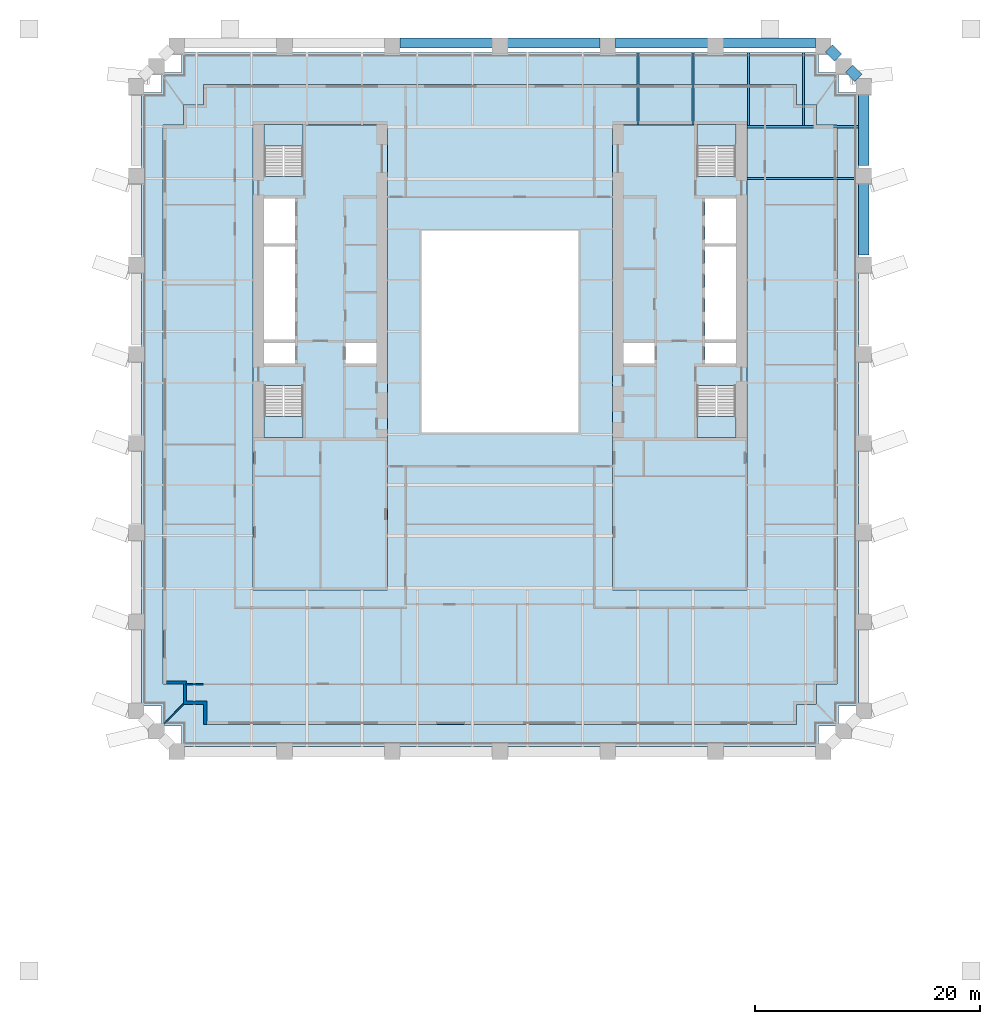
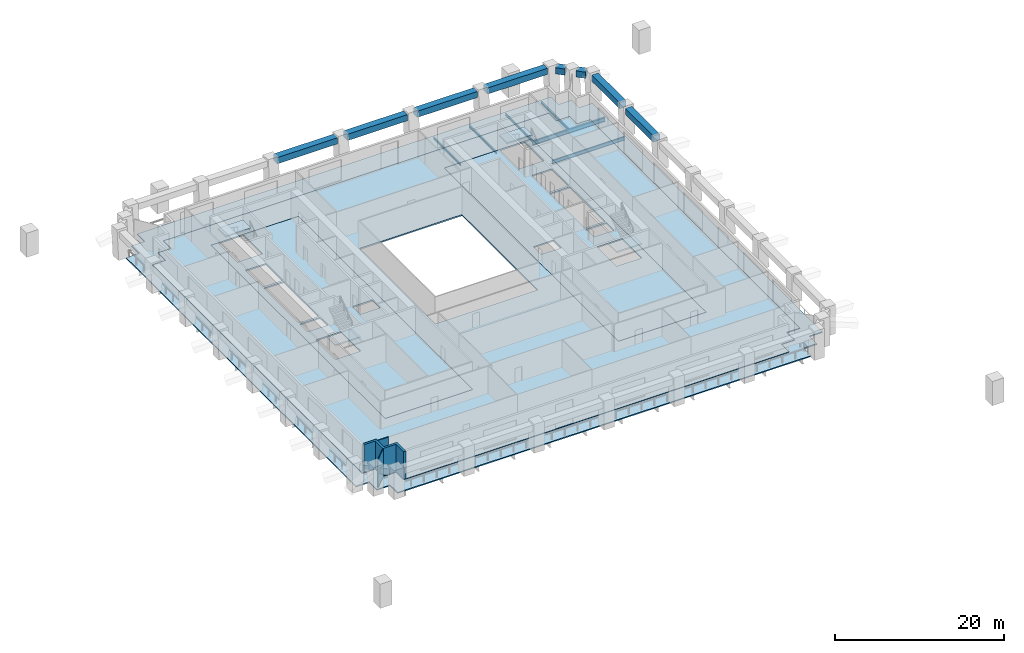
# One storey, part 2 of 10: 14 beams, 8 slabs, 3 walls, 4 elements without a shape of their own.
"""IFC4 building model written with IfcOpenShell, lengths in metres."""

from ifc_helpers import new_model, si_unit, direction, frame, frame_2d, origin, origin_2d, place, context, subcontext, project, spatial, polyline, rectangle, i_section, outline, extrude, material, layer, layer_set, material_profile, profile_set, type_object, element, aggregate, save


model = new_model("IFC4")

# Units and contexts
model_context = context("Model", 3, precision=1e-05, world=origin(), true_north=direction((0.0, 1.0)))
body_context = subcontext(model_context, "Body", "Model", "MODEL_VIEW")
ifc_project = project(units=[si_unit("LENGTHUNIT", "METRE"), si_unit("AREAUNIT", "SQUARE_METRE"), si_unit("VOLUMEUNIT", "CUBIC_METRE"), si_unit("PLANEANGLEUNIT", "RADIAN"), si_unit("MASSUNIT", "GRAM", prefix="KILO")], contexts=[model_context])

# Site, building, storey
site_placement = place(None, origin())
site = spatial("IfcSite", under=ifc_project, at=site_placement, CompositionType="ELEMENT")
building_placement = place(site_placement, origin())
building = spatial("IfcBuilding", under=site, at=building_placement, Name="Ogive Exchange Tower", CompositionType="ELEMENT")
storey_placement = place(building_placement, frame((0.0, 0.0, 43.800048828125)))
storey = spatial("IfcBuildingStorey", under=building, at=storey_placement, Name="L08", CompositionType="ELEMENT", Elevation=43.800048828125)

# Beams
ifc_material_1 = material(Name="Steel ASTM A992 Gr50", Category="steel")
ifc_material_profile_1 = material_profile(ifc_material_1, i_section(OverallWidth=0.1650390625, OverallDepth=0.31005859375, WebThickness=0.005859375, FlangeThickness=0.009765625, at=origin_2d()), Name="W310x38.7")
ifc_profile_set_1 = profile_set([ifc_material_profile_1], Name="Steel ASTM A992 Gr50")
beam_type_1 = type_object("IfcBeamType", Name="Floor beam W310x38.7", PredefinedType="JOIST", material=ifc_profile_set_1)
for number, where, z_axis, x_axis, name in (
    (1, (12.28857421875, 25.39990234375, -0.35498046875), (0.0, 1.0, 0.0), (-1.0, 0.0, 0.0), "Floor beam"),
    (2, (17.203857421875, 25.39990234375, -0.35498046875), (0.0, 1.0, 0.0), (-1.0, 0.0, 0.0), "Floor beam"),
):
    element("IfcBeam", number, at=place(storey_placement, frame(where, z_axis=z_axis, x_axis=x_axis)), inside=storey, type_object=beam_type_1, Name=name, PredefinedType="JOIST", context=body_context, shape_type="SweptSolid", body=[
        extrude(i_section(OverallWidth=0.1650390625, OverallDepth=0.31005859375, WebThickness=0.005859375, FlangeThickness=0.009765625, at=origin_2d()), origin(), (0.0, 0.0, 1.0), 6.477294921875),
    ])
for number, where, z_axis, x_axis, name in (
    (3, (22.119140625, 25.35888671875, -0.35498046875), (0.0, 1.0, 0.0), (-1.0, 0.0, 0.0), "Floor beam"),
    (4, (27.03466796875, 25.35888671875, -0.35498046875), (0.0, 1.0, 0.0), (-1.0, 0.0, 0.0), "Floor beam"),
):
    element("IfcBeam", number, at=place(storey_placement, frame(where, z_axis=z_axis, x_axis=x_axis)), inside=storey, type_object=beam_type_1, Name=name, PredefinedType="JOIST", context=body_context, shape_type="SweptSolid", body=[
        extrude(i_section(OverallWidth=0.1650390625, OverallDepth=0.31005859375, WebThickness=0.005859375, FlangeThickness=0.009765625, at=origin_2d()), origin(), (0.0, 0.0, 1.0), 6.518310546875),
    ])
ifc_material_profile_2 = material_profile(ifc_material_1, i_section(OverallWidth=0.1669921875, OverallDepth=0.535888671875, WebThickness=0.01025390625, FlangeThickness=0.0166015625, at=origin_2d()), Name="W530x85")
ifc_profile_set_2 = profile_set([ifc_material_profile_2], Name="Steel ASTM A992 Gr50")
beam_type_2 = type_object("IfcBeamType", Name="Floor beam W530x85", PredefinedType="JOIST", material=ifc_profile_set_2)
beam_1_placement = place(storey_placement, frame((22.0, 20.62255859375, -0.468017578125), z_axis=(1.0, 0.0, 0.0), x_axis=(0.0, 1.0, 0.0)))
element("IfcBeam", 5, at=beam_1_placement, inside=storey, type_object=beam_type_2, Name="Floor beam", PredefinedType="JOIST", context=body_context, shape_type="SweptSolid", body=[
    extrude(i_section(OverallWidth=0.1669921875, OverallDepth=0.535888671875, WebThickness=0.01025390625, FlangeThickness=0.0166015625, at=origin_2d()), origin(), (0.0, 0.0, 1.0), 9.949951171875),
])
ifc_material_profile_3 = material_profile(ifc_material_1, i_section(OverallWidth=0.22802734375, OverallDepth=0.60205078125, WebThickness=0.010498046875, FlangeThickness=0.014892578125, at=origin_2d()), Name="W610x101")
ifc_profile_set_3 = profile_set([ifc_material_profile_3], Name="Steel ASTM A992 Gr50")
beam_type_3 = type_object("IfcBeamType", Name="Girder W610x101", PredefinedType="BEAM", material=ifc_profile_set_3)
beam_2_placement = place(storey_placement, frame((22.0, 25.2451171875, -0.5009765625), z_axis=(1.0, 0.0, 0.0), x_axis=(0.0, 1.0, 0.0)))
element("IfcBeam", 6, at=beam_2_placement, inside=storey, type_object=beam_type_3, Name="Header girder", PredefinedType="BEAM", context=body_context, shape_type="SweptSolid", body=[
    extrude(i_section(OverallWidth=0.22802734375, OverallDepth=0.60205078125, WebThickness=0.010498046875, FlangeThickness=0.014892578125, at=origin_2d()), origin(), (0.0, 0.0, 1.0), 9.949951171875),
])
ifc_material_2 = material(Name="Precast concrete C70/85 (limestone faced)", Category="masonry")
ifc_material_profile_4 = material_profile(ifc_material_2, rectangle(XDim=0.89990234375, YDim=0.89990234375, at=origin_2d()), Name="900 x 900")
ifc_profile_set_4 = profile_set([ifc_material_profile_4], Name="Precast concrete C70/85 (limestone faced)")
beam_type_4 = type_object("IfcBeamType", Name="Precast spandrel 900 x 900 C70/85", PredefinedType="SPANDREL", material=ifc_profile_set_4)
beam_3_placement = place(storey_placement, frame((32.39990234375, 13.815185546875, 3.5), z_axis=(0.0, 1.0, 0.0), x_axis=(-1.0, 0.0, 0.0)))
element("IfcBeam", 7, at=beam_3_placement, inside=storey, type_object=beam_type_4, Name="Spandrel 14", PredefinedType="SPANDREL", context=body_context, shape_type="SweptSolid", body=[
    extrude(rectangle(XDim=0.89990234375, YDim=0.89990234375, at=origin_2d()), origin(), (0.0, 0.0, 1.0), 6.626953125),
])
beam_4_placement = place(storey_placement, frame((32.39990234375, 21.802001953125, 3.5), z_axis=(0.0, 1.0, 0.0), x_axis=(-1.0, 0.0, 0.0)))
element("IfcBeam", 8, at=beam_4_placement, inside=storey, type_object=beam_type_4, Name="Spandrel 15", PredefinedType="SPANDREL", context=body_context, shape_type="SweptSolid", body=[
    extrude(rectangle(XDim=0.89990234375, YDim=0.89990234375, at=origin_2d()), origin(), (0.0, 0.0, 1.0), 6.627197265625),
])
for number, where, z_axis, x_axis, name in (
    (9, (31.912109375, 29.596923828125, 3.5), (-0.707106781187, 0.707106781187, 0.0), (-0.707106781187, -0.707106781187, 0.0), "Spandrel 16"),
    (10, (30.112060546875, 31.39697265625, 3.5), (-0.707106781187, 0.707106781187, 0.0), (-0.707106781187, -0.707106781187, 0.0), "Spandrel 17"),
):
    element("IfcBeam", number, at=place(storey_placement, frame(where, z_axis=z_axis, x_axis=x_axis)), inside=storey, type_object=beam_type_4, Name=name, PredefinedType="SPANDREL", context=body_context, shape_type="SweptSolid", body=[
        extrude(rectangle(XDim=0.89990234375, YDim=0.89990234375, at=origin_2d()), origin(), (0.0, 0.0, 1.0), 1.16552734375),
    ])
beam_5_placement = place(storey_placement, frame((28.1201171875, 32.708984375, 3.5), z_axis=(-1.0, 0.0, 0.0), x_axis=(0.0, -1.0, 0.0)))
element("IfcBeam", 11, at=beam_5_placement, inside=storey, type_object=beam_type_4, Name="Spandrel 18", PredefinedType="SPANDREL", context=body_context, shape_type="SweptSolid", body=[
    extrude(rectangle(XDim=0.89990234375, YDim=0.89990234375, at=origin_2d()), origin(), (0.0, 0.0, 1.0), 8.240234375),
])
for number, where, z_axis, x_axis, name in (
    (12, (18.52001953125, 32.708984375, 3.5), (-1.0, 0.0, 0.0), (0.0, -1.0, 0.0), "Spandrel 19"),
    (13, (8.919921875, 32.708984375, 3.5), (-1.0, 0.0, 0.0), (0.0, -1.0, 0.0), "Spandrel 20"),
    (14, (-0.679931640625, 32.708984375, 3.5), (-1.0, 0.0, 0.0), (0.0, -1.0, 0.0), "Spandrel 21"),
):
    element("IfcBeam", number, at=place(storey_placement, frame(where, z_axis=z_axis, x_axis=x_axis)), inside=storey, type_object=beam_type_4, Name=name, PredefinedType="SPANDREL", context=body_context, shape_type="SweptSolid", body=[
        extrude(rectangle(XDim=0.89990234375, YDim=0.89990234375, at=origin_2d()), origin(), (0.0, 0.0, 1.0), 8.239990234375),
    ])

# Slabs
ifc_material_3 = material(Name="Concrete C50/60", Category="concrete")
ifc_layer_1 = layer(ifc_material_3, 0.199951171875)
ifc_layer_set_1 = layer_set([ifc_layer_1], Name="Composite floor slab 200")
slab_type_1 = type_object("IfcSlabType", Name="Composite floor slab 200", PredefinedType="FLOOR", material=ifc_layer_set_1)
slab_1_placement = place(storey_placement, frame((0.0, 0.0, -0.199951171875)))
element("IfcSlab", 15, at=slab_1_placement, inside=storey, type_object=slab_type_1, Name="Composite floor slab", PredefinedType="FLOOR", context=body_context, shape_type="SweptSolid", body=[
    extrude(outline(polyline([(-26.39990234375, -26.199951171875), (-28.199951171875, -26.199951171875), (-28.199951171875, -24.39990234375), (-30.0, -24.39990234375), (-30.0, 25.39990234375), (-28.199951171875, 25.39990234375), (-28.199951171875, 27.199951171875), (-26.39990234375, 27.199951171875), (-26.39990234375, 29.0), (26.39990234375, 29.0), (26.39990234375, 27.199951171875), (28.199951171875, 27.199951171875), (28.199951171875, 25.39990234375), (30.0, 25.39990234375), (30.0, -24.39990234375), (28.199951171875, -24.39990234375), (28.199951171875, -26.199951171875), (26.39990234375, -26.199951171875), (26.39990234375, -28.0), (-26.39990234375, -28.0), (-26.39990234375, -26.199951171875)]), holes=[polyline([(-10.0, -16.0), (-10.0, 25.39990234375), (-22.0, 25.39990234375), (-22.0, -16.0), (-10.0, -16.0)]), polyline([(10.0, -16.0), (22.0, -16.0), (22.0, 25.39990234375), (10.0, 25.39990234375), (10.0, -16.0)]), polyline([(-7.0, -2.0), (7.0, -2.0), (7.0, 16.0), (-7.0, 16.0), (-7.0, -2.0)])]), origin(), (0.0, 0.0, 1.0), 0.199951171875),
])
ifc_material_4 = material(Name="Concrete C70/85", Category="concrete")
ifc_layer_2 = layer(ifc_material_4, 0.199951171875)
ifc_layer_set_2 = layer_set([ifc_layer_2], Name="Core floor slab 200")
slab_type_2 = type_object("IfcSlabType", Name="Core floor slab 200", PredefinedType="FLOOR", material=ifc_layer_set_2)
slab_2_placement = place(storey_placement, frame((0.0, 0.0, -0.199951171875)))
element("IfcSlab", 16, at=slab_2_placement, inside=storey, type_object=slab_type_2, Name="Core floor slab", PredefinedType="FLOOR", context=body_context, shape_type="SweptSolid", body=[
    extrude(outline(polyline([(-10.0, 25.39990234375), (-10.0, -16.0), (-22.0, -16.0), (-22.0, 25.39990234375), (-21.0, 25.39990234375), (-21.0, 20.803955078125), (-17.550048828125, 20.803955078125), (-17.550048828125, 25.39990234375), (-10.0, 25.39990234375)]), holes=[polyline([(-17.550048828125, 2.196044921875), (-21.0, 2.196044921875), (-21.0, -2.449951171875), (-17.550048828125, -2.449951171875), (-17.550048828125, 2.196044921875)]), polyline([(-18.25, 5.992919921875), (-21.0, 5.992919921875), (-21.0, 4.14990234375), (-18.25, 4.14990234375), (-18.25, 5.992919921875)]), polyline([(-11.0, 5.992919921875), (-13.75, 5.992919921875), (-13.75, 4.14990234375), (-11.0, 4.14990234375), (-11.0, 5.992919921875)]), polyline([(-21.0, 14.564208984375), (-21.0, 6.29296875), (-18.25, 6.29296875), (-18.25, 14.564208984375), (-21.0, 14.564208984375)]), polyline([(-18.25, 18.85009765625), (-21.0, 18.85009765625), (-21.0, 14.8642578125), (-18.25, 14.8642578125), (-18.25, 18.85009765625)])]), origin(), (0.0, 0.0, 1.0), 0.199951171875),
])
slab_3_placement = place(storey_placement, frame((0.0, 0.0, -0.199951171875)))
element("IfcSlab", 17, at=slab_3_placement, inside=storey, type_object=slab_type_2, Name="Core floor slab", PredefinedType="FLOOR", context=body_context, shape_type="SweptSolid", body=[
    extrude(outline(polyline([(22.0, 25.39990234375), (22.0, -16.0), (10.0, -16.0), (10.0, 25.39990234375), (17.550048828125, 25.39990234375), (17.550048828125, 20.803955078125), (21.0, 20.803955078125), (21.0, 25.39990234375), (22.0, 25.39990234375)]), holes=[polyline([(21.0, 2.196044921875), (17.550048828125, 2.196044921875), (17.550048828125, -2.449951171875), (21.0, -2.449951171875), (21.0, 2.196044921875)]), polyline([(13.75, 5.992919921875), (11.0, 5.992919921875), (11.0, 4.14990234375), (13.75, 4.14990234375), (13.75, 5.992919921875)]), polyline([(21.0, 5.992919921875), (18.25, 5.992919921875), (18.25, 4.14990234375), (21.0, 4.14990234375), (21.0, 5.992919921875)]), polyline([(18.25, 14.564208984375), (18.25, 6.29296875), (21.0, 6.29296875), (21.0, 14.564208984375), (18.25, 14.564208984375)]), polyline([(21.0, 18.85009765625), (18.25, 18.85009765625), (18.25, 14.8642578125), (21.0, 14.8642578125), (21.0, 18.85009765625)])]), origin(), (0.0, 0.0, 1.0), 0.199951171875),
])
ifc_layer_3 = layer(ifc_material_3, 0.14990234375)
ifc_layer_set_3 = layer_set([ifc_layer_3], Name="Loggia deck 150")
slab_type_3 = type_object("IfcSlabType", Name="Loggia deck 150", PredefinedType="FLOOR", material=ifc_layer_set_3)
slab_4_placement = place(storey_placement, frame((0.0, 0.0, -0.199951171875)))
element("IfcSlab", 18, at=slab_4_placement, inside=storey, type_object=slab_type_3, Name="Loggia deck", PredefinedType="FLOOR", context=body_context, shape_type="SweptSolid", body=[
    extrude(outline(polyline([(-28.35009765625, -28.14990234375), (-30.14990234375, -28.14990234375), (-30.14990234375, -26.35009765625), (-31.949951171875, -26.35009765625), (-31.949951171875, 28.27734375), (-30.14990234375, 28.27734375), (-30.14990234375, 30.077392578125), (-28.35009765625, 30.077392578125), (-28.35009765625, 31.877197265625), (28.35009765625, 31.877197265625), (28.35009765625, 30.077392578125), (30.14990234375, 30.077392578125), (30.14990234375, 28.27734375), (31.949951171875, 28.27734375), (31.949951171875, -26.35009765625), (30.14990234375, -26.35009765625), (30.14990234375, -28.14990234375), (28.35009765625, -28.14990234375), (28.35009765625, -29.949951171875), (-28.35009765625, -29.949951171875), (-28.35009765625, -28.14990234375)]), holes=[polyline([(26.39990234375, -26.199951171875), (28.199951171875, -26.199951171875), (28.199951171875, -24.39990234375), (30.0, -24.39990234375), (30.0, 25.39990234375), (28.199951171875, 25.39990234375), (28.199951171875, 27.199951171875), (26.39990234375, 27.199951171875), (26.39990234375, 29.0), (-26.39990234375, 29.0), (-26.39990234375, 27.199951171875), (-28.199951171875, 27.199951171875), (-28.199951171875, 25.39990234375), (-30.0, 25.39990234375), (-30.0, -24.39990234375), (-28.199951171875, -24.39990234375), (-28.199951171875, -26.199951171875), (-26.39990234375, -26.199951171875), (-26.39990234375, -28.0), (26.39990234375, -28.0), (26.39990234375, -26.199951171875)])]), origin(), (0.0, 0.0, 1.0), 0.14990234375),
])

# Stair, slab
ifc_material_5 = material(Name="Concrete C40/50", Category="concrete")
stair_type = type_object("IfcStairType", Name="Exit stair 1650 wide", PredefinedType="HALF_TURN_STAIR", material=ifc_material_5)
stair_1_placement = place(storey_placement, origin())
stair_1 = element("IfcStair", 19, at=stair_1_placement, inside=storey, type_object=stair_type, Name="L08 exit stair ST1", PredefinedType="HALF_TURN_STAIR")
ifc_layer_4 = layer(ifc_material_5, 0.199951171875)
ifc_layer_set_4 = layer_set([ifc_layer_4], Name="Stair landing 200 slab")
slab_type_4 = type_object("IfcSlabType", Name="Stair landing 200 slab", PredefinedType="LANDING", material=ifc_layer_set_4)
slab_5_placement = place(storey_placement, frame((0.0, 0.0, 1.89990234375)))
slab_5 = element("IfcSlab", 20, at=slab_5_placement, type_object=slab_type_4, Name="ST1 landing 1", PredefinedType="LANDING", context=body_context, shape_type="SweptSolid", body=[
    extrude(outline(polyline([(-21.0, -0.550048828125), (-21.0, -2.449951171875), (-17.550048828125, -2.449951171875), (-17.550048828125, -0.550048828125), (-21.0, -0.550048828125)])), origin(), (0.0, 0.0, 1.0), 0.199951171875),
])
aggregate(stair_1, [slab_5])

stair_2_placement = place(storey_placement, origin())
stair_2 = element("IfcStair", 21, at=stair_2_placement, inside=storey, type_object=stair_type, Name="L08 exit stair ST2", PredefinedType="HALF_TURN_STAIR")
slab_6_placement = place(storey_placement, frame((0.0, 0.0, 1.89990234375)))
slab_6 = element("IfcSlab", 22, at=slab_6_placement, type_object=slab_type_4, Name="ST2 landing 1", PredefinedType="LANDING", context=body_context, shape_type="SweptSolid", body=[
    extrude(outline(polyline([(-17.550048828125, 23.550048828125), (-17.550048828125, 25.449951171875), (-21.0, 25.449951171875), (-21.0, 23.550048828125), (-17.550048828125, 23.550048828125)])), origin(), (0.0, 0.0, 1.0), 0.199951171875),
])
aggregate(stair_2, [slab_6])

stair_3_placement = place(storey_placement, origin())
stair_3 = element("IfcStair", 23, at=stair_3_placement, inside=storey, type_object=stair_type, Name="L08 exit stair ST3", PredefinedType="HALF_TURN_STAIR")
slab_7_placement = place(storey_placement, frame((0.0, 0.0, 1.89990234375)))
slab_7 = element("IfcSlab", 24, at=slab_7_placement, type_object=slab_type_4, Name="ST3 landing 1", PredefinedType="LANDING", context=body_context, shape_type="SweptSolid", body=[
    extrude(outline(polyline([(17.550048828125, -0.550048828125), (17.550048828125, -2.449951171875), (21.0, -2.449951171875), (21.0, -0.550048828125), (17.550048828125, -0.550048828125)])), origin(), (0.0, 0.0, 1.0), 0.199951171875),
])
aggregate(stair_3, [slab_7])

stair_4_placement = place(storey_placement, origin())
stair_4 = element("IfcStair", 25, at=stair_4_placement, inside=storey, type_object=stair_type, Name="L08 exit stair ST4", PredefinedType="HALF_TURN_STAIR")
slab_8_placement = place(storey_placement, frame((0.0, 0.0, 1.89990234375)))
slab_8 = element("IfcSlab", 26, at=slab_8_placement, type_object=slab_type_4, Name="ST4 landing 1", PredefinedType="LANDING", context=body_context, shape_type="SweptSolid", body=[
    extrude(outline(polyline([(21.0, 23.550048828125), (21.0, 25.449951171875), (17.550048828125, 25.449951171875), (17.550048828125, 23.550048828125), (21.0, 23.550048828125)])), origin(), (0.0, 0.0, 1.0), 0.199951171875),
])
aggregate(stair_4, [slab_8])

# Walls
ifc_material_6 = material(Name="Precast concrete C40/50", Category="concrete")
ifc_layer_5 = layer(ifc_material_6, 0.300048828125)
ifc_layer_set_5 = layer_set([ifc_layer_5], Name="Limestone-faced wall 300")
wall_type_1 = type_object("IfcWallType", Name="Limestone-faced wall 300", PredefinedType="STANDARD", material=ifc_layer_set_5)
wall_1_placement = place(storey_placement, origin())
element("IfcWall", 27, at=wall_1_placement, inside=storey, type_object=wall_type_1, Name="External corner wall C4", PredefinedType="STANDARD", context=body_context, shape_type="SweptSolid", body=[
    extrude(outline(polyline([(-26.39990234375, -26.199951171875), (-28.199951171875, -26.199951171875), (-28.199951171875, -24.39990234375), (-29.699951171875, -24.39990234375), (-29.699951171875, -24.10009765625), (-27.89990234375, -24.10009765625), (-27.89990234375, -25.89990234375), (-26.10009765625, -25.89990234375), (-26.10009765625, -28.0), (-26.39990234375, -28.0), (-26.39990234375, -26.199951171875)])), origin(), (0.0, 0.0, 1.0), 4.0),
])
ifc_material_7 = material(Name="Laminated safety glass in steel frame", Category="steel")
ifc_layer_6 = layer(ifc_material_7, 0.10009765625)
ifc_layer_set_6 = layer_set([ifc_layer_6], Name="Loggia end screen 100")
wall_type_2 = type_object("IfcWallType", Name="Loggia end screen 100", PredefinedType="STANDARD", material=ifc_layer_set_6)
wall_2_placement = place(storey_placement, frame((-28.199951171875, -26.199951171875, -0.050048828125), z_axis=(0.0, 0.0, 1.0), x_axis=(-0.707106781187, -0.707106781187, 0.0)))
element("IfcWall", 28, at=wall_2_placement, inside=storey, type_object=wall_type_2, Name="Loggia end screen C4", PredefinedType="STANDARD", context=body_context, shape_type="SweptSolid", body=[
    extrude(rectangle(XDim=2.384521484375, YDim=0.10009765625, at=frame_2d((1.1923828125, 0.0))), origin(), (0.0, 0.0, 1.0), 4.050048828125),
])
ifc_material_8 = material(Name="Partition 100 gypsum")
ifc_layer_7 = layer(ifc_material_8, 0.10009765625)
ifc_layer_set_7 = layer_set([ifc_layer_7], Name="Partition 100 gypsum")
wall_type_3 = type_object("IfcWallType", Name="Partition 100 gypsum", PredefinedType="PARTITIONING", material=ifc_layer_set_7)
wall_3_placement = place(storey_placement, frame((-28.0, -24.409912109375, 0.0), z_axis=(0.0, 0.0, 1.0), x_axis=(1.0, 0.0, 0.0)))
element("IfcWall", 29, at=wall_3_placement, inside=storey, type_object=wall_type_3, Name="L08-PWL-004", PredefinedType="PARTITIONING", context=body_context, shape_type="SweptSolid", body=[
    extrude(rectangle(XDim=1.590087890625, YDim=0.10009765625, at=frame_2d((0.794921875, 0.0))), origin(), (0.0, 0.0, 1.0), 4.0),
])

save(model, "model.ifc")
